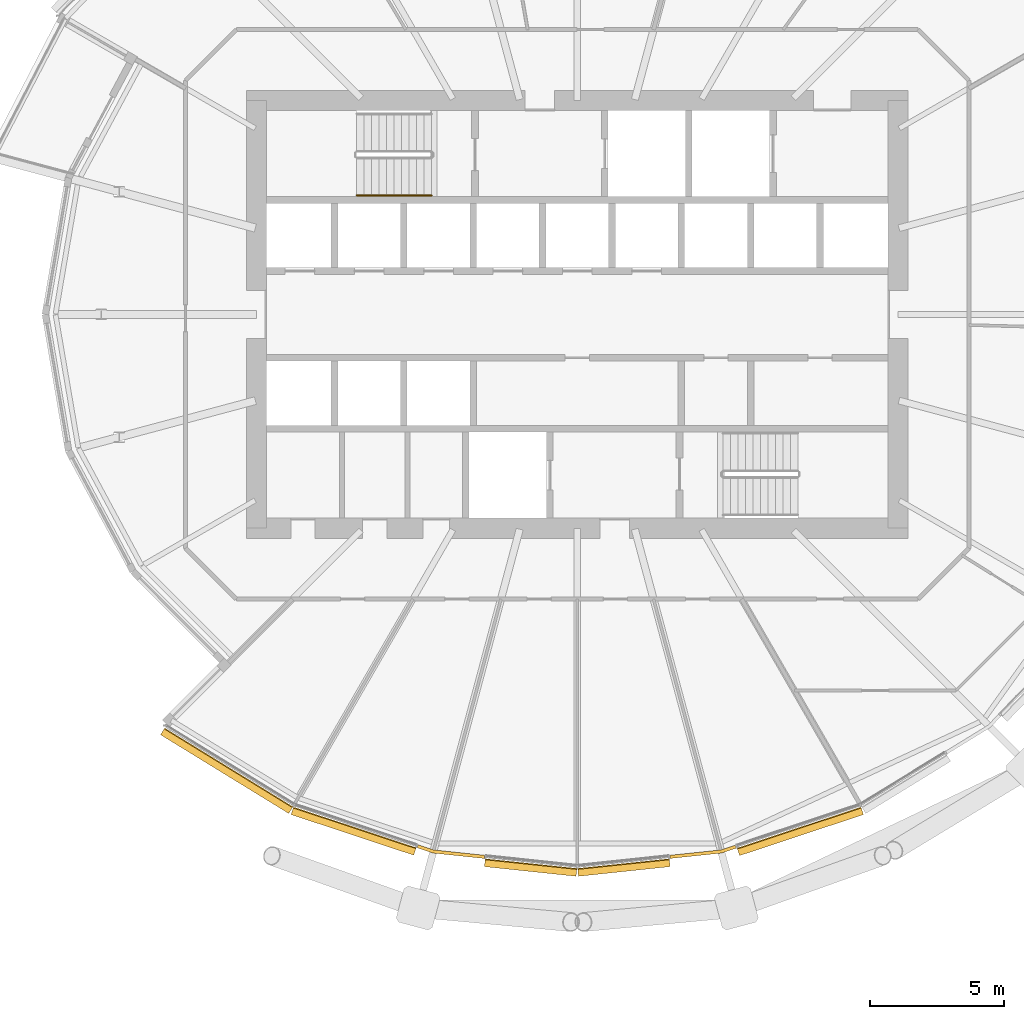
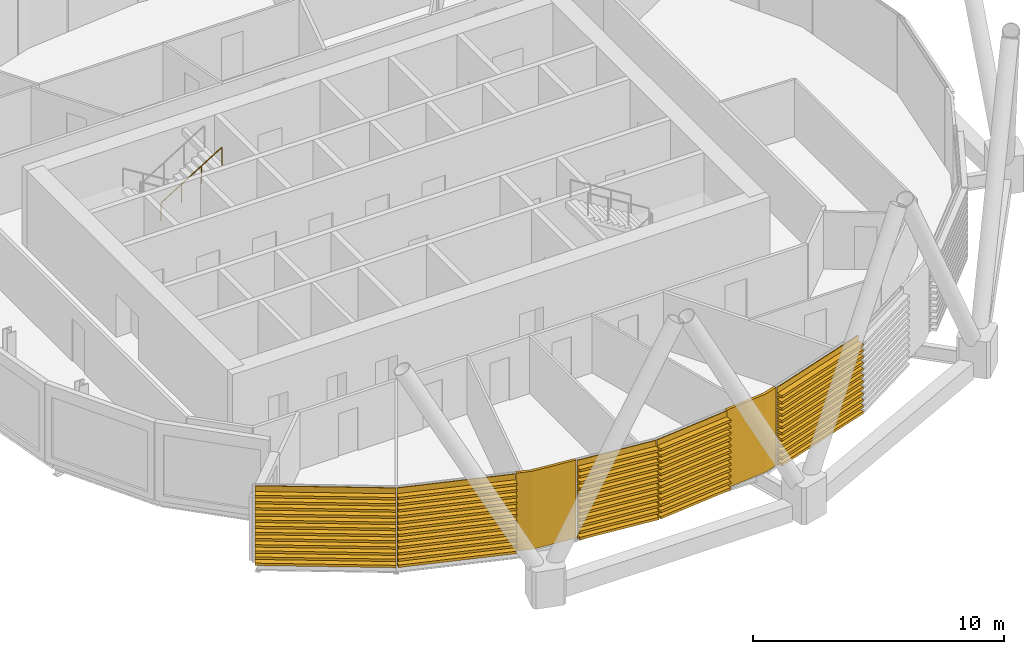
# One storey, part 34 of 39: 7 coverings, 1 railing.
"""IFC4 building model written with IfcOpenShell, lengths in metres."""

import ifcopenshell
import ifcopenshell.guid

model = None  # the IFC model being written
_history = None  # IfcOwnerHistory: only IFC2X3 demands one
_inside = {}  # id of a spatial element -> (the spatial element, [elements in it])
_under = {}  # id of a project, library or spatial element -> (it, [spatial elements below it])
_declared = {}  # id of a project -> (the project, [libraries it declares])
_typed = {}  # id of a type object -> (the type object, [elements of that type])
_made_of = {}  # id of a material, layer set ... -> (it, [elements and type objects made of it])


def new_model(schema):
    """Start an empty IFC model of exactly this schema.

    Asked for "IFC4X3", IfcOpenShell would pick the latest addendum, in which some entities
    have other attributes; the version numbers below select the first issue.
    IFC2X3 requires an IfcOwnerHistory on every rooted entity: one is made here for all.
    """
    global model, _history
    if schema == "IFC4X3":
        model = ifcopenshell.file(schema_version=(4, 3, 0, 0))
    else:
        model = ifcopenshell.file(schema=schema)
    _inside.clear()
    _under.clear()
    _declared.clear()
    _typed.clear()
    _made_of.clear()
    _history = None
    if model.schema == "IFC2X3":
        org = make("IfcOrganization", Name="unknown")
        user = make(
            "IfcPersonAndOrganization",
            ThePerson=make("IfcPerson", FamilyName="unknown"),
            TheOrganization=org,
        )
        app = make(
            "IfcApplication",
            ApplicationDeveloper=org,
            Version="unknown",
            ApplicationFullName="unknown",
            ApplicationIdentifier="unknown",
        )
        _history = make(
            "IfcOwnerHistory",
            OwningUser=user,
            OwningApplication=app,
            ChangeAction="ADDED",
            CreationDate=0,
        )
    return model


def make(cls, **values):
    """One entity of the class cls with the attributes given. An attribute that is None is left unset."""
    return model.create_entity(
        cls, **{name: value for name, value in values.items() if value is not None}
    )


def rooted(cls, **values):
    """An entity with a GlobalId (a new one), such as an element, a storey or a relation."""
    return make(cls, GlobalId=ifcopenshell.guid.new(), OwnerHistory=_history, **values)


def si_unit(unit_type, name, prefix=None):
    """IfcSIUnit, for example si_unit("LENGTHUNIT", "METRE", prefix="MILLI")."""
    return make("IfcSIUnit", UnitType=unit_type, Prefix=prefix, Name=name)


def assignment(units):
    """IfcUnitAssignment: the units of a project."""
    return None if units is None else make("IfcUnitAssignment", Units=units)


def point(xyz):
    """IfcCartesianPoint."""
    return None if xyz is None else make("IfcCartesianPoint", Coordinates=xyz)


def direction(xyz):
    """IfcDirection."""
    return None if xyz is None else make("IfcDirection", DirectionRatios=xyz)


def frame(location, z_axis=None, x_axis=None):
    """IfcAxis2Placement3D, a coordinate frame: its origin and axes. An axis left out is left unset."""
    return make(
        "IfcAxis2Placement3D",
        Location=point(location),
        Axis=direction(z_axis),
        RefDirection=direction(x_axis),
    )


def frame_2d(location, x_axis=None):
    """IfcAxis2Placement2D, a coordinate frame in the plane: its origin and x axis."""
    return make(
        "IfcAxis2Placement2D", Location=point(location), RefDirection=direction(x_axis)
    )


def origin():
    """The frame at (0, 0, 0) with its axes left unset."""
    return frame((0.0, 0.0, 0.0))


def origin_2d():
    """The frame at (0, 0) in the plane with its x axis left unset."""
    return frame_2d((0.0, 0.0))


def place(relative_to, where):
    """IfcLocalPlacement: puts the frame where relative to a parent placement (None: the world)."""
    return make(
        "IfcLocalPlacement", PlacementRelTo=relative_to, RelativePlacement=where
    )


def context(
    kind, dimensions, precision=None, world=None, true_north=None, identifier=None
):
    """IfcGeometricRepresentationContext, for example the 3D "Model" context."""
    return make(
        "IfcGeometricRepresentationContext",
        ContextIdentifier=identifier,
        ContextType=kind,
        CoordinateSpaceDimension=dimensions,
        Precision=precision,
        WorldCoordinateSystem=world,
        TrueNorth=true_north,
    )


def subcontext(parent, identifier, kind, view, scale=None):
    """IfcGeometricRepresentationSubContext, for example "Body" below "Model"."""
    return make(
        "IfcGeometricRepresentationSubContext",
        ContextIdentifier=identifier,
        ContextType=kind,
        ParentContext=parent,
        TargetScale=scale,
        TargetView=view,
    )


def project(units=None, contexts=None):
    """IfcProject with its units and contexts."""
    return rooted(
        "IfcProject",
        Name="project",
        RepresentationContexts=contexts,
        UnitsInContext=assignment(units),
    )


def spatial(cls, under=None, at=None, **own):
    """A site, building, storey or space (cls), placed at a placement, below another one or the project."""
    s = rooted(cls, ObjectPlacement=at, **own)
    if under is not None:
        _under.setdefault(under.id(), (under, []))[1].append(s)
    return s


def polyline(points):
    """IfcPolyline through the points."""
    return make("IfcPolyline", Points=[point(p) for p in points])


def profile(cls, at=None, kind="AREA", **sizes):
    """A parametric profile (cls). Its sizes go by their IFC names, for example OverallWidth=200.0."""
    return make(cls, ProfileType=kind, Position=at, **sizes)


def circle(**sizes):
    """IfcCircleProfileDef."""
    return profile("IfcCircleProfileDef", **sizes)


def outline(outer, holes=None, kind="AREA"):
    """IfcArbitraryClosedProfileDef: a profile drawn as a closed curve; with holes, ...WithVoids."""
    if holes is None:
        return make("IfcArbitraryClosedProfileDef", ProfileType=kind, OuterCurve=outer)
    return make(
        "IfcArbitraryProfileDefWithVoids",
        ProfileType=kind,
        OuterCurve=outer,
        InnerCurves=holes,
    )


def extrude(swept, where, along, depth):
    """IfcExtrudedAreaSolid: the profile swept, set in the frame where, extruded along a direction by depth."""
    return make(
        "IfcExtrudedAreaSolid",
        SweptArea=swept,
        Position=where,
        ExtrudedDirection=direction(along),
        Depth=depth,
    )


def shape(context_of_items, identifier, shape_type, items):
    """IfcShapeRepresentation: the items that make up one representation, for example the "Body"."""
    return make(
        "IfcShapeRepresentation",
        ContextOfItems=context_of_items,
        RepresentationIdentifier=identifier,
        RepresentationType=shape_type,
        Items=items,
    )


def material(Name=None, Category=None):
    """IfcMaterial."""
    return make("IfcMaterial", Name=Name, Category=Category)


def layer(
    of_material, thickness, ventilated=None, Name=None, Category=None, Priority=None
):
    """IfcMaterialLayer: one layer of a wall or slab, of a material (None: an air gap)."""
    return make(
        "IfcMaterialLayer",
        Material=of_material,
        LayerThickness=thickness,
        IsVentilated=ventilated,
        Name=Name,
        Category=Category,
        Priority=Priority,
    )


def layer_set(layers, Name=None):
    """IfcMaterialLayerSet."""
    return make("IfcMaterialLayerSet", MaterialLayers=layers, LayerSetName=Name)


def material_profile(
    of_material, cross_section, Name=None, Category=None, Priority=None
):
    """IfcMaterialProfile: a cross section and its material."""
    return make(
        "IfcMaterialProfile",
        Name=Name,
        Material=of_material,
        Profile=cross_section,
        Priority=Priority,
        Category=Category,
    )


def profile_set(profiles, Name=None, composite=None):
    """IfcMaterialProfileSet."""
    return make(
        "IfcMaterialProfileSet",
        Name=Name,
        MaterialProfiles=profiles,
        CompositeProfile=composite,
    )


def made_of(thing, what):
    """Note that an element or type object is made of a material, layer set ...; save() writes the relation."""
    if what is not None:
        _made_of.setdefault(what.id(), (what, []))[1].append(thing)
    return thing


def type_object(cls, material=None, **own):
    """A type object (cls), such as IfcWallType, which elements share."""
    return made_of(rooted(cls, **own), material)


def element(
    cls,
    number,
    at=None,
    inside=None,
    cuts=None,
    type_object=None,
    material=None,
    context=None,
    identifier="Body",
    shape_type=None,
    held_by="IfcProductDefinitionShape",
    body=None,
    shapes=None,
    **own,
):
    """One element of the class cls, such as IfcWall. Its Tag is "e" and its number.

    at: its placement. inside: the storey or other place that contains it. cuts: it is an
    opening in that element (IfcRelVoidsElement). A single representation is given by context,
    identifier, shape_type and body (its items); several are given by shapes. held_by: the class
    of the entity that holds the representations. save() writes the other relations.
    """
    e = rooted(cls, Tag="e%d" % number, ObjectPlacement=at, **own)
    if body is not None:
        shapes = [shape(context, identifier, shape_type, body)]
    if shapes is not None:
        e.Representation = make(held_by, Representations=shapes)
    if inside is not None:
        _inside.setdefault(inside.id(), (inside, []))[1].append(e)
    if cuts is not None:
        rooted(
            "IfcRelVoidsElement", RelatingBuildingElement=cuts, RelatedOpeningElement=e
        )
    if type_object is not None:
        _typed.setdefault(type_object.id(), (type_object, []))[1].append(e)
    return made_of(e, material)


def aggregate(whole, parts):
    """IfcRelAggregates: a whole, such as a stair, and the parts it consists of."""
    return rooted("IfcRelAggregates", RelatingObject=whole, RelatedObjects=parts)


def save(model, path):
    """Write the relations noted so far, then the file.

    IfcRelAggregates (storeys below a building ...), IfcRelContainedInSpatialStructure (elements
    in a storey), IfcRelDefinesByType, IfcRelAssociatesMaterial and IfcRelDeclares: one each for
    every whole, place, type object, material and project.
    """
    for whole, parts in _under.values():
        aggregate(whole, parts)
    for where, things in _inside.values():
        rooted(
            "IfcRelContainedInSpatialStructure",
            RelatedElements=things,
            RelatingStructure=where,
        )
    for kind, things in _typed.values():
        rooted("IfcRelDefinesByType", RelatedObjects=things, RelatingType=kind)
    for what, things in _made_of.values():
        rooted("IfcRelAssociatesMaterial", RelatedObjects=things, RelatingMaterial=what)
    for by, libraries in _declared.values():
        rooted("IfcRelDeclares", RelatingContext=by, RelatedDefinitions=libraries)
    model.write(path)


model = new_model("IFC4")

# Units and contexts
model_context = context("Model", 3, precision=1e-05, world=origin(), true_north=direction((0.0, 1.0)))
body_context = subcontext(model_context, "Body", "Model", "MODEL_VIEW")
ifc_project = project(units=[si_unit("LENGTHUNIT", "METRE"), si_unit("AREAUNIT", "SQUARE_METRE"), si_unit("VOLUMEUNIT", "CUBIC_METRE"), si_unit("PLANEANGLEUNIT", "RADIAN"), si_unit("MASSUNIT", "GRAM", prefix="KILO")], contexts=[model_context])

# Site, building, storey
site_placement = place(None, origin())
site = spatial("IfcSite", under=ifc_project, at=site_placement, CompositionType="ELEMENT")
building_placement = place(site_placement, origin())
building = spatial("IfcBuilding", under=site, at=building_placement, Name="Rimbun Link Towers", CompositionType="ELEMENT")
storey_placement = place(building_placement, frame((0.0, 0.0, 115.800048828125)))
storey = spatial("IfcBuildingStorey", under=building, at=storey_placement, Name="L28", CompositionType="ELEMENT", Elevation=115.800048828125)

# Coverings
ifc_material_1 = material(Name="Terracotta", Category="masonry")
ifc_layer = layer(ifc_material_1, 0.1201171875)
ifc_layer_set = layer_set([ifc_layer], Name="LINK PIER terracotta cladding 120")
covering_type_1 = type_object("IfcCoveringType", Name="LINK PIER terracotta cladding 120", PredefinedType="CLADDING", material=ifc_layer_set)
covering_1_placement = place(storey_placement, origin())
element("IfcCovering", 1, at=covering_1_placement, inside=storey, type_object=covering_type_1, Name="LINK PIER cladding", PredefinedType="CLADDING", context=body_context, shape_type="SweptSolid", body=[
    extrude(outline(polyline([(-35.20849609375, -20.23486328125), (-37.117919921875, -20.03369140625), (-37.70654296875, -19.838623046875), (-37.744384765625, -19.95263671875), (-37.1435546875, -20.151611328125), (-35.22119140625, -20.354248046875), (-35.20849609375, -20.23486328125)])), origin(), (0.0, 0.0, 1.0), 3.800048828125),
])
covering_2_placement = place(storey_placement, origin())
element("IfcCovering", 2, at=covering_2_placement, inside=storey, type_object=covering_type_1, Name="LINK PIER cladding", PredefinedType="CLADDING", context=body_context, shape_type="SweptSolid", body=[
    extrude(outline(polyline([(-25.8408203125, -19.8544921875), (-26.382080078125, -20.03369140625), (-28.29150390625, -20.23486328125), (-28.27880859375, -20.354248046875), (-26.3564453125, -20.151611328125), (-25.80322265625, -19.96826171875), (-25.8408203125, -19.8544921875)])), origin(), (0.0, 0.0, 1.0), 3.800048828125),
])

# Railing
ifc_material_2 = material(Name="Stainless steel grade 316", Category="steel")
railing_type = type_object("IfcRailingType", Name="Stair handrail", PredefinedType="HANDRAIL", material=ifc_material_2)
railing_placement = place(storey_placement, frame((-40.0, 4.449951171875, 2.07275390625)))
element("IfcRailing", 3, at=railing_placement, inside=storey, type_object=railing_type, Name="L28 ST1 stair handrail 2", PredefinedType="HANDRAIL", context=body_context, shape_type="SweptSolid", body=[
    extrude(circle(Radius=0.02392578125, at=origin_2d()), frame((0.0, 0.0, 0.8759765625), z_axis=(0.851089632645, 0.0, 0.525020415988), x_axis=(0.0, 1.0, 0.0)), (0.0, 0.0, 1.0), 3.2900390625),
    extrude(circle(Radius=0.02099609375, at=origin_2d()), origin(), (0.0, 0.0, 1.0), 0.851806640625),
    extrude(circle(Radius=0.02099609375, at=origin_2d()), frame((0.933349609375, 0.0, 0.57568359375)), (0.0, 0.0, 1.0), 0.851806640625),
    extrude(circle(Radius=0.02099609375, at=origin_2d()), frame((1.86669921875, 0.0, 1.151611328125)), (0.0, 0.0, 1.0), 0.851806640625),
    extrude(circle(Radius=0.02099609375, at=origin_2d()), frame((2.800048828125, 0.0, 1.727294921875)), (0.0, 0.0, 1.0), 0.851806640625),
])

# Coverings
ifc_material_3 = material(Name="Terracotta", Category="masonry")
ifc_material_profile = material_profile(ifc_material_3, outline(polyline([(0.123046875, 0.0), (0.1630859375, 0.0), (0.1630859375, 0.10009765625), (0.423095703125, 0.10009765625), (0.423095703125, 0.219970703125), (0.1630859375, 0.219970703125), (0.1630859375, 0.39990234375), (0.423095703125, 0.39990234375), (0.423095703125, 0.52001953125), (0.1630859375, 0.52001953125), (0.1630859375, 0.699951171875), (0.423095703125, 0.699951171875), (0.423095703125, 0.820068359375), (0.1630859375, 0.820068359375), (0.1630859375, 1.0), (0.423095703125, 1.0), (0.423095703125, 1.1201171875), (0.1630859375, 1.1201171875), (0.1630859375, 1.300048828125), (0.423095703125, 1.300048828125), (0.423095703125, 1.419921875), (0.1630859375, 1.419921875), (0.1630859375, 1.60009765625), (0.423095703125, 1.60009765625), (0.423095703125, 1.719970703125), (0.1630859375, 1.719970703125), (0.1630859375, 1.89990234375), (0.423095703125, 1.89990234375), (0.423095703125, 2.02001953125), (0.1630859375, 2.02001953125), (0.1630859375, 2.199951171875), (0.423095703125, 2.199951171875), (0.423095703125, 2.320068359375), (0.1630859375, 2.320068359375), (0.1630859375, 2.5), (0.423095703125, 2.5), (0.423095703125, 2.6201171875), (0.1630859375, 2.6201171875), (0.1630859375, 2.800048828125), (0.423095703125, 2.800048828125), (0.423095703125, 2.919921875), (0.1630859375, 2.919921875), (0.1630859375, 3.10009765625), (0.423095703125, 3.10009765625), (0.423095703125, 3.219970703125), (0.1630859375, 3.219970703125), (0.1630859375, 3.39990234375), (0.423095703125, 3.39990234375), (0.423095703125, 3.52001953125), (0.1630859375, 3.52001953125), (0.1630859375, 3.800048828125), (0.123046875, 3.800048828125), (0.123046875, 0.0)])), Name="BAGUETTE 120X300")
ifc_profile_set = profile_set([ifc_material_profile], Name="Terracotta")
covering_type_2 = type_object("IfcCoveringType", Name="TERRACOTTA BAGUETTE 120X300 H3800", PredefinedType="CLADDING", material=ifc_profile_set)
covering_3_placement = place(storey_placement, frame((-42.321044921875, -18.3095703125, 0.0), z_axis=(-0.852160023154, 0.523281277076, 0.0), x_axis=(-0.523281277076, -0.852160023154, 0.0)))
element("IfcCovering", 4, at=covering_3_placement, inside=storey, type_object=covering_type_2, Name="TERRACOTTA BAGUETTE", PredefinedType="CLADDING", context=body_context, shape_type="SweptSolid", body=[
    extrude(outline(polyline([(0.123046875, 0.0), (0.1630859375, 0.0), (0.1630859375, 0.10009765625), (0.423095703125, 0.10009765625), (0.423095703125, 0.219970703125), (0.1630859375, 0.219970703125), (0.1630859375, 0.39990234375), (0.423095703125, 0.39990234375), (0.423095703125, 0.52001953125), (0.1630859375, 0.52001953125), (0.1630859375, 0.699951171875), (0.423095703125, 0.699951171875), (0.423095703125, 0.820068359375), (0.1630859375, 0.820068359375), (0.1630859375, 1.0), (0.423095703125, 1.0), (0.423095703125, 1.1201171875), (0.1630859375, 1.1201171875), (0.1630859375, 1.300048828125), (0.423095703125, 1.300048828125), (0.423095703125, 1.419921875), (0.1630859375, 1.419921875), (0.1630859375, 1.60009765625), (0.423095703125, 1.60009765625), (0.423095703125, 1.719970703125), (0.1630859375, 1.719970703125), (0.1630859375, 1.89990234375), (0.423095703125, 1.89990234375), (0.423095703125, 2.02001953125), (0.1630859375, 2.02001953125), (0.1630859375, 2.199951171875), (0.423095703125, 2.199951171875), (0.423095703125, 2.320068359375), (0.1630859375, 2.320068359375), (0.1630859375, 2.5), (0.423095703125, 2.5), (0.423095703125, 2.6201171875), (0.1630859375, 2.6201171875), (0.1630859375, 2.800048828125), (0.423095703125, 2.800048828125), (0.423095703125, 2.919921875), (0.1630859375, 2.919921875), (0.1630859375, 3.10009765625), (0.423095703125, 3.10009765625), (0.423095703125, 3.219970703125), (0.1630859375, 3.219970703125), (0.1630859375, 3.39990234375), (0.423095703125, 3.39990234375), (0.423095703125, 3.52001953125), (0.1630859375, 3.52001953125), (0.1630859375, 3.800048828125), (0.123046875, 3.800048828125), (0.123046875, 0.0)])), origin(), (0.0, 0.0, 1.0), 5.626220703125),
])
covering_4_placement = place(storey_placement, frame((-37.735107421875, -19.829345703125, 0.0), z_axis=(-0.94923268065, 0.314574820967, 0.0), x_axis=(-0.314574820967, -0.94923268065, 0.0)))
element("IfcCovering", 5, at=covering_4_placement, inside=storey, type_object=covering_type_2, Name="TERRACOTTA BAGUETTE", PredefinedType="CLADDING", context=body_context, shape_type="SweptSolid", body=[
    extrude(outline(polyline([(0.123046875, 0.0), (0.1630859375, 0.0), (0.1630859375, 0.10009765625), (0.423095703125, 0.10009765625), (0.423095703125, 0.219970703125), (0.1630859375, 0.219970703125), (0.1630859375, 0.39990234375), (0.423095703125, 0.39990234375), (0.423095703125, 0.52001953125), (0.1630859375, 0.52001953125), (0.1630859375, 0.699951171875), (0.423095703125, 0.699951171875), (0.423095703125, 0.820068359375), (0.1630859375, 0.820068359375), (0.1630859375, 1.0), (0.423095703125, 1.0), (0.423095703125, 1.1201171875), (0.1630859375, 1.1201171875), (0.1630859375, 1.300048828125), (0.423095703125, 1.300048828125), (0.423095703125, 1.419921875), (0.1630859375, 1.419921875), (0.1630859375, 1.60009765625), (0.423095703125, 1.60009765625), (0.423095703125, 1.719970703125), (0.1630859375, 1.719970703125), (0.1630859375, 1.89990234375), (0.423095703125, 1.89990234375), (0.423095703125, 2.02001953125), (0.1630859375, 2.02001953125), (0.1630859375, 2.199951171875), (0.423095703125, 2.199951171875), (0.423095703125, 2.320068359375), (0.1630859375, 2.320068359375), (0.1630859375, 2.5), (0.423095703125, 2.5), (0.423095703125, 2.6201171875), (0.1630859375, 2.6201171875), (0.1630859375, 2.800048828125), (0.423095703125, 2.800048828125), (0.423095703125, 2.919921875), (0.1630859375, 2.919921875), (0.1630859375, 3.10009765625), (0.423095703125, 3.10009765625), (0.423095703125, 3.219970703125), (0.1630859375, 3.219970703125), (0.1630859375, 3.39990234375), (0.423095703125, 3.39990234375), (0.423095703125, 3.52001953125), (0.1630859375, 3.52001953125), (0.1630859375, 3.800048828125), (0.123046875, 3.800048828125), (0.123046875, 0.0)])), origin(), (0.0, 0.0, 1.0), 4.831298828125),
])
for number, where, z_axis, x_axis, name in (
    (6, (-31.75, -20.59912109375, 0.0), (-0.99450040754, 0.104732704554, 0.0), (-0.104732704554, -0.99450040754, 0.0), "TERRACOTTA BAGUETTE"),
    (7, (-28.3212890625, -20.238037109375, 0.0), (-0.99450040754, -0.104732704554, 0.0), (0.104732704554, -0.99450040754, 0.0), "TERRACOTTA BAGUETTE"),
):
    element("IfcCovering", number, at=place(storey_placement, frame(where, z_axis=z_axis, x_axis=x_axis)), inside=storey, type_object=covering_type_2, Name=name, PredefinedType="CLADDING", context=body_context, shape_type="SweptSolid", body=[
        extrude(outline(polyline([(0.123046875, 0.0), (0.1630859375, 0.0), (0.1630859375, 0.10009765625), (0.423095703125, 0.10009765625), (0.423095703125, 0.219970703125), (0.1630859375, 0.219970703125), (0.1630859375, 0.39990234375), (0.423095703125, 0.39990234375), (0.423095703125, 0.52001953125), (0.1630859375, 0.52001953125), (0.1630859375, 0.699951171875), (0.423095703125, 0.699951171875), (0.423095703125, 0.820068359375), (0.1630859375, 0.820068359375), (0.1630859375, 1.0), (0.423095703125, 1.0), (0.423095703125, 1.1201171875), (0.1630859375, 1.1201171875), (0.1630859375, 1.300048828125), (0.423095703125, 1.300048828125), (0.423095703125, 1.419921875), (0.1630859375, 1.419921875), (0.1630859375, 1.60009765625), (0.423095703125, 1.60009765625), (0.423095703125, 1.719970703125), (0.1630859375, 1.719970703125), (0.1630859375, 1.89990234375), (0.423095703125, 1.89990234375), (0.423095703125, 2.02001953125), (0.1630859375, 2.02001953125), (0.1630859375, 2.199951171875), (0.423095703125, 2.199951171875), (0.423095703125, 2.320068359375), (0.1630859375, 2.320068359375), (0.1630859375, 2.5), (0.423095703125, 2.5), (0.423095703125, 2.6201171875), (0.1630859375, 2.6201171875), (0.1630859375, 2.800048828125), (0.423095703125, 2.800048828125), (0.423095703125, 2.919921875), (0.1630859375, 2.919921875), (0.1630859375, 3.10009765625), (0.423095703125, 3.10009765625), (0.423095703125, 3.219970703125), (0.1630859375, 3.219970703125), (0.1630859375, 3.39990234375), (0.423095703125, 3.39990234375), (0.423095703125, 3.52001953125), (0.1630859375, 3.52001953125), (0.1630859375, 3.800048828125), (0.123046875, 3.800048828125), (0.123046875, 0.0)])), origin(), (0.0, 0.0, 1.0), 3.44775390625),
    ])
covering_5_placement = place(storey_placement, frame((-21.178955078125, -18.3095703125, 0.0), z_axis=(-0.949241981904, -0.314546752948, 0.0), x_axis=(0.314546752948, -0.949241981904, 0.0)))
element("IfcCovering", 8, at=covering_5_placement, inside=storey, type_object=covering_type_2, Name="TERRACOTTA BAGUETTE", PredefinedType="CLADDING", context=body_context, shape_type="SweptSolid", body=[
    extrude(outline(polyline([(0.123046875, 0.0), (0.1630859375, 0.0), (0.1630859375, 0.10009765625), (0.423095703125, 0.10009765625), (0.423095703125, 0.219970703125), (0.1630859375, 0.219970703125), (0.1630859375, 0.39990234375), (0.423095703125, 0.39990234375), (0.423095703125, 0.52001953125), (0.1630859375, 0.52001953125), (0.1630859375, 0.699951171875), (0.423095703125, 0.699951171875), (0.423095703125, 0.820068359375), (0.1630859375, 0.820068359375), (0.1630859375, 1.0), (0.423095703125, 1.0), (0.423095703125, 1.1201171875), (0.1630859375, 1.1201171875), (0.1630859375, 1.300048828125), (0.423095703125, 1.300048828125), (0.423095703125, 1.419921875), (0.1630859375, 1.419921875), (0.1630859375, 1.60009765625), (0.423095703125, 1.60009765625), (0.423095703125, 1.719970703125), (0.1630859375, 1.719970703125), (0.1630859375, 1.89990234375), (0.423095703125, 1.89990234375), (0.423095703125, 2.02001953125), (0.1630859375, 2.02001953125), (0.1630859375, 2.199951171875), (0.423095703125, 2.199951171875), (0.423095703125, 2.320068359375), (0.1630859375, 2.320068359375), (0.1630859375, 2.5), (0.423095703125, 2.5), (0.423095703125, 2.6201171875), (0.1630859375, 2.6201171875), (0.1630859375, 2.800048828125), (0.423095703125, 2.800048828125), (0.423095703125, 2.919921875), (0.1630859375, 2.919921875), (0.1630859375, 3.10009765625), (0.423095703125, 3.10009765625), (0.423095703125, 3.219970703125), (0.1630859375, 3.219970703125), (0.1630859375, 3.39990234375), (0.423095703125, 3.39990234375), (0.423095703125, 3.52001953125), (0.1630859375, 3.52001953125), (0.1630859375, 3.800048828125), (0.123046875, 3.800048828125), (0.123046875, 0.0)])), origin(), (0.0, 0.0, 1.0), 4.88134765625),
])

save(model, "model.ifc")
